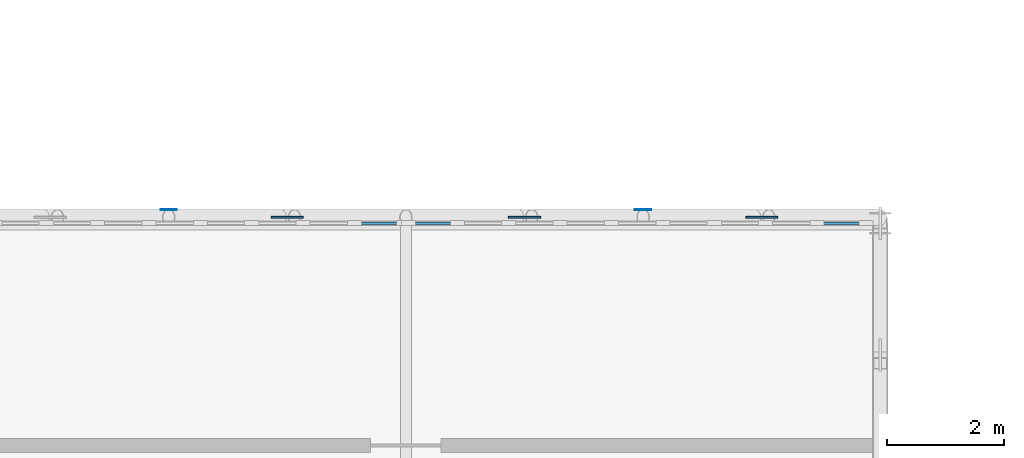
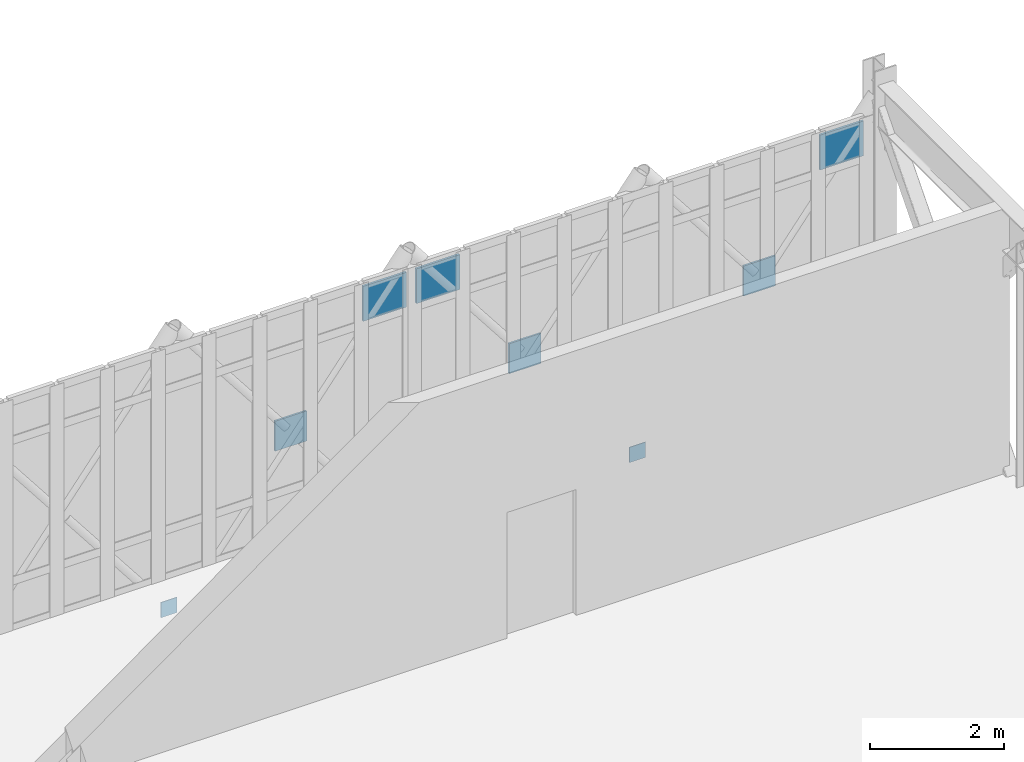
# One storey, part 88 of 107: 8 plates, 2 elements without a shape of their own.
"""IFC4 building model written with IfcOpenShell, lengths in metres."""

from ifc_helpers import new_model, si_unit, direction, frame, origin, origin_2d, place, context, subcontext, project, spatial, rectangle, extrude, material, layer, layer_set, type_object, element, aggregate, save


model = new_model("IFC4")

# Units and contexts
model_context = context("Model", 3, precision=1e-05, world=origin(), true_north=direction((0.0, 1.0)))
body_context = subcontext(model_context, "Body", "Model", "MODEL_VIEW")
ifc_project = project(units=[si_unit("LENGTHUNIT", "METRE"), si_unit("AREAUNIT", "SQUARE_METRE"), si_unit("VOLUMEUNIT", "CUBIC_METRE"), si_unit("PLANEANGLEUNIT", "RADIAN"), si_unit("MASSUNIT", "GRAM", prefix="KILO")], contexts=[model_context])

# Site, building, storey
site_placement = place(None, origin())
site = spatial("IfcSite", under=ifc_project, at=site_placement, CompositionType="ELEMENT")
building_placement = place(site_placement, origin())
building = spatial("IfcBuilding", under=site, at=building_placement, Name="Tarnveldt Square Police Headquarters", CompositionType="ELEMENT")
storey_placement = place(building_placement, frame((0.0, 0.0, 14.699951171875)))
storey = spatial("IfcBuildingStorey", under=building, at=storey_placement, Name="L03", CompositionType="ELEMENT", Elevation=14.699951171875)

# Curtain wall, plate
ifc_material_1 = material(Name="UL 752 Level III laminated ballistic vision glass", Category="glass")
curtain_wall_type = type_object("IfcCurtainWallType", Name="CW-BL-790x422", PredefinedType="USERDEFINED", material=ifc_material_1)
curtain_wall_1_placement = place(storey_placement, origin())
curtain_wall_1 = element("IfcCurtainWall", 1, at=curtain_wall_1_placement, inside=storey, type_object=curtain_wall_type, Name="L03 Curtain Wall CW-L03-031", ObjectType="BALLISTIC CURTAIN WALL", PredefinedType="USERDEFINED")
ifc_layer_1 = layer(ifc_material_1, 0.0380859375)
ifc_layer_set_1 = layer_set([ifc_layer_1], Name="UL 752 Level III laminated ballistic vision glass")
plate_type_1 = type_object("IfcPlateType", Name="CWP-BAL-38", PredefinedType="CURTAIN_PANEL", material=ifc_layer_set_1)
plate_1_placement = place(storey_placement, frame((56.239990234375, 34.0, 3.5078125), z_axis=(0.0, 0.0, 1.0), x_axis=(1.0, 0.0, 0.0)))
plate_1 = element("IfcPlate", 2, at=plate_1_placement, type_object=plate_type_1, Name="CW-BL14 panel 9.3", PredefinedType="CURTAIN_PANEL", context=body_context, shape_type="SweptSolid", body=[
    extrude(rectangle(XDim=0.75, YDim=0.0380859375, at=origin_2d()), origin(), (0.0, 0.0, 1.0), 0.637451171875),
])
aggregate(curtain_wall_1, [plate_1])

# Curtain wall, plates
curtain_wall_2_placement = place(storey_placement, origin())
curtain_wall_2 = element("IfcCurtainWall", 3, at=curtain_wall_2_placement, inside=storey, type_object=curtain_wall_type, Name="L03 Curtain Wall CW-L03-032", ObjectType="BALLISTIC CURTAIN WALL", PredefinedType="USERDEFINED")
plate_2_placement = place(storey_placement, frame((57.159912109375, 34.0, 3.5078125), z_axis=(0.0, 0.0, 1.0), x_axis=(1.0, 0.0, 0.0)))
plate_2 = element("IfcPlate", 4, at=plate_2_placement, type_object=plate_type_1, Name="CW-BL14 panel 1.3", PredefinedType="CURTAIN_PANEL", context=body_context, shape_type="SweptSolid", body=[
    extrude(rectangle(XDim=0.75, YDim=0.0380859375, at=origin_2d()), origin(), (0.0, 0.0, 1.0), 0.637451171875),
])
plate_3_placement = place(storey_placement, frame((64.137939453125, 34.0, 3.5078125), z_axis=(0.0, 0.0, 1.0), x_axis=(1.0, 0.0, 0.0)))
plate_3 = element("IfcPlate", 5, at=plate_3_placement, type_object=plate_type_1, Name="CW-BL14 panel 9.3", PredefinedType="CURTAIN_PANEL", context=body_context, shape_type="SweptSolid", body=[
    extrude(rectangle(XDim=0.75, YDim=0.0380859375, at=origin_2d()), origin(), (0.0, 0.0, 1.0), 0.637451171875),
])
aggregate(curtain_wall_2, [plate_2, plate_3])

# Plates
ifc_material_2 = material(Name="Steel 350W", Category="steel")
ifc_layer_2 = layer(ifc_material_2, 0.011962890625)
ifc_layer_set_2 = layer_set([ifc_layer_2], Name="Steel 350W")
plate_type_2 = type_object("IfcPlateType", Name="PLT-CAP-12", PredefinedType="USERDEFINED", material=ifc_layer_set_2)
for number, where, z_axis, x_axis, name in (
    (6, (52.64990234375, 34.22998046875, -0.8828125), (0.0, 0.0, 1.0), (1.0, 0.0, 0.0), "Node KN-LT1 HSS End Cap Plate N-L03-6"),
    (7, (60.75, 34.22998046875, -0.8828125), (0.0, 0.0, 1.0), (1.0, 0.0, 0.0), "Node KN-LT1 HSS End Cap Plate N-L03-7"),
):
    element("IfcPlate", number, at=place(storey_placement, frame(where, z_axis=z_axis, x_axis=x_axis)), inside=storey, type_object=plate_type_2, Name=name, ObjectType="END CAP PLATE", PredefinedType="USERDEFINED", context=body_context, shape_type="SweptSolid", body=[
        extrude(rectangle(XDim=0.280029296875, YDim=0.011962890625, at=origin_2d()), origin(), (0.0, 0.0, 1.0), 0.280029296875),
    ])
ifc_layer_3 = layer(ifc_material_2, 0.031982421875)
ifc_layer_set_3 = layer_set([ifc_layer_3], Name="Steel 350W")
plate_type_3 = type_object("IfcPlateType", Name="PLT-GUS-32", PredefinedType="SHEET", material=ifc_layer_set_3)
for number, where, z_axis, x_axis, name in (
    (8, (54.675048828125, 34.10009765625, 1.58203125), (0.0, 0.0, 1.0), (1.0, 0.0, 0.0), "Command Lantern N Lattice Crossing Gusset Plate 6.2"),
    (9, (58.72509765625, 34.10009765625, 1.58203125), (0.0, 0.0, 1.0), (1.0, 0.0, 0.0), "Command Lantern N Lattice Crossing Gusset Plate 7.1"),
    (10, (62.77490234375, 34.10009765625, 1.58203125), (0.0, 0.0, 1.0), (1.0, 0.0, 0.0), "Command Lantern N Lattice Crossing Gusset Plate 7.2"),
):
    element("IfcPlate", number, at=place(storey_placement, frame(where, z_axis=z_axis, x_axis=x_axis)), inside=storey, type_object=plate_type_3, Name=name, PredefinedType="SHEET", context=body_context, shape_type="SweptSolid", body=[
        extrude(rectangle(XDim=0.550048828125, YDim=0.031982421875, at=origin_2d()), origin(), (0.0, 0.0, 1.0), 0.550048828125),
    ])

save(model, "model.ifc")
